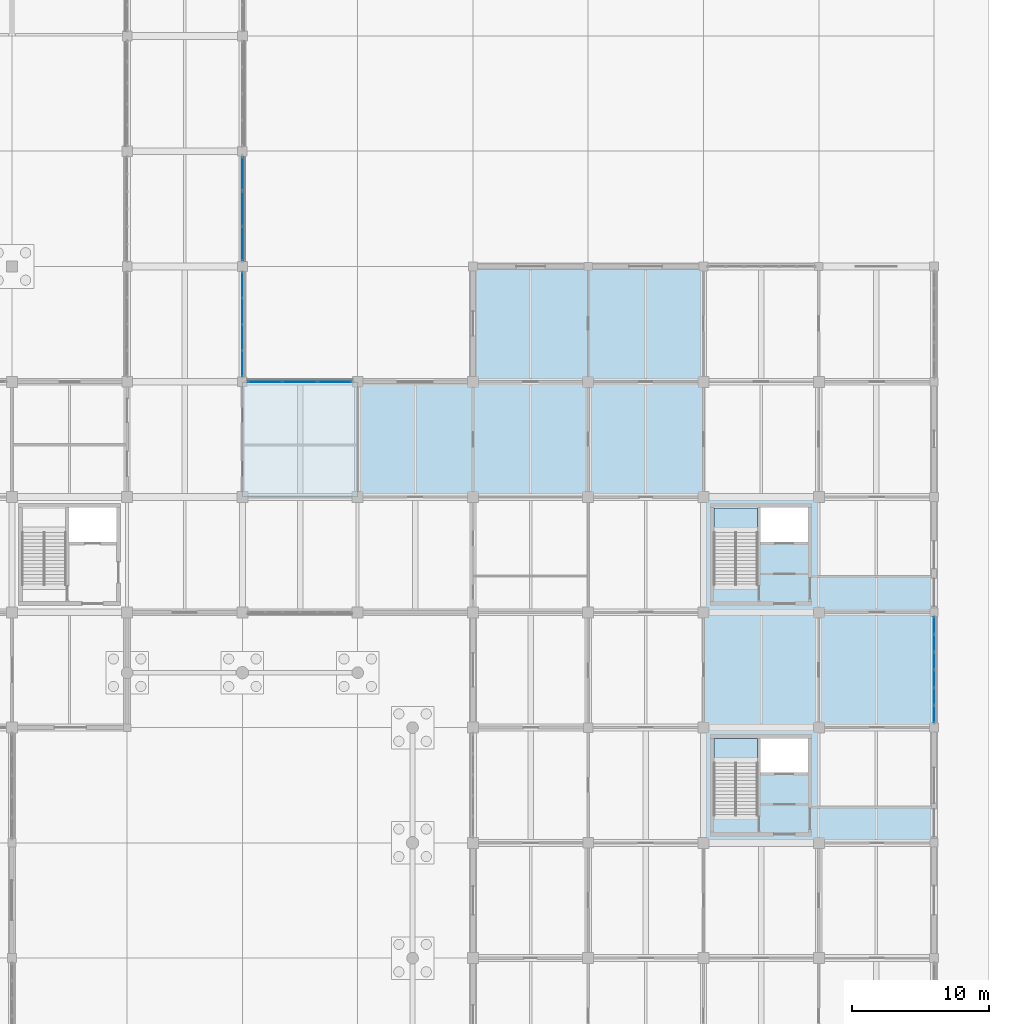
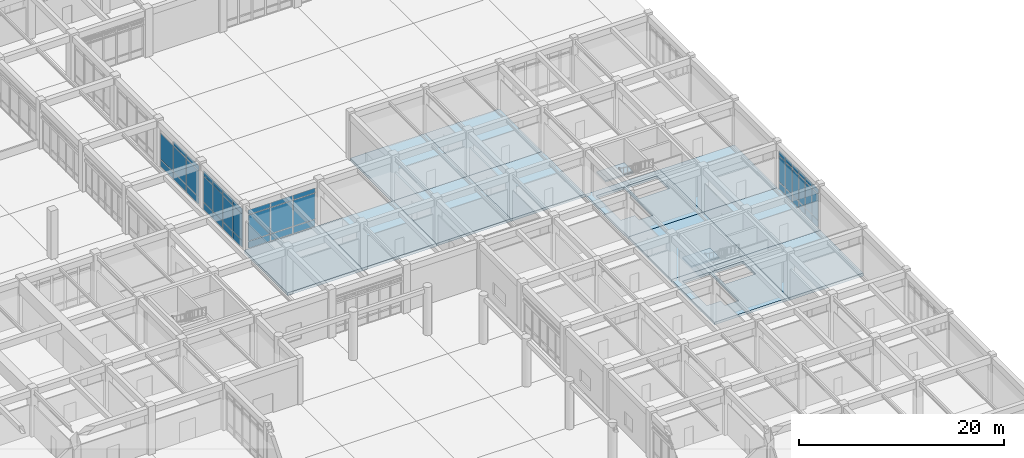
# One storey, part 61 of 91: 47 plates, 14 slabs, 6 elements without a shape of their own.
"""IFC4 building model written with IfcOpenShell, lengths in metres."""

from ifc_helpers import new_model, si_unit, direction, frame, origin, origin_2d, place, context, subcontext, project, spatial, polyline, rectangle, outline, extrude, material, layer, layer_set, type_object, element, aggregate, save


model = new_model("IFC4")

# Units and contexts
model_context = context("Model", 3, precision=1e-05, world=origin(), true_north=direction((0.0, 1.0)))
body_context = subcontext(model_context, "Body", "Model", "MODEL_VIEW")
ifc_project = project(units=[si_unit("LENGTHUNIT", "METRE"), si_unit("AREAUNIT", "SQUARE_METRE"), si_unit("VOLUMEUNIT", "CUBIC_METRE"), si_unit("PLANEANGLEUNIT", "RADIAN"), si_unit("MASSUNIT", "GRAM", prefix="KILO")], contexts=[model_context])

# Site, building, storey
site_placement = place(None, origin())
site = spatial("IfcSite", under=ifc_project, at=site_placement, CompositionType="ELEMENT")
building_placement = place(site_placement, origin())
building = spatial("IfcBuilding", under=site, at=building_placement, Name="Porcellanite Civic Hall", CompositionType="ELEMENT")
storey_placement = place(building_placement, origin())
storey = spatial("IfcBuildingStorey", under=building, at=storey_placement, Name="L00", CompositionType="ELEMENT", Elevation=0.0)

# Curtain wall, plates
ifc_material_1 = material(Name="Anodised aluminium and solar laminated glass", Category="aluminium")
ifc_layer_1 = layer(ifc_material_1, 0.179931640625)
ifc_layer_set_1 = layer_set([ifc_layer_1], Name="Anodised aluminium and solar laminated glass")
curtain_wall_type_1 = type_object("IfcCurtainWallType", Name="CW-SYS08", PredefinedType="NOTDEFINED", material=ifc_layer_set_1)
curtain_wall_1_placement = place(storey_placement, origin())
curtain_wall_1 = element("IfcCurtainWall", 1, at=curtain_wall_1_placement, inside=storey, type_object=curtain_wall_type_1, Name="Curtain wall CW-040", PredefinedType="NOTDEFINED")
ifc_material_2 = material(Name="Cyclone laminated solar-control low-E glass", Category="glass")
ifc_layer_2 = layer(ifc_material_2, 0.02392578125)
ifc_layer_set_2 = layer_set([ifc_layer_2], Name="Cyclone laminated solar-control low-E glass")
plate_type_1 = type_object("IfcPlateType", Name="CWP-01", PredefinedType="CURTAIN_PANEL", material=ifc_layer_set_2)
plate_1_placement = place(storey_placement, frame((126.0, 82.35009765625, 0.070068359375), z_axis=(0.0, 0.0, 1.0), x_axis=(0.0, -1.0, 0.0)))
plate_1 = element("IfcPlate", 2, at=plate_1_placement, type_object=plate_type_1, Name="CW-040 panel 1.1", PredefinedType="CURTAIN_PANEL", context=body_context, shape_type="SweptSolid", body=[
    extrude(rectangle(XDim=2.437744140625, YDim=0.02392578125, at=origin_2d()), origin(), (0.0, 0.0, 1.0), 0.794921875),
])
plate_2_placement = place(storey_placement, frame((126.0, 82.35009765625, 0.93505859375), z_axis=(0.0, 0.0, 1.0), x_axis=(0.0, -1.0, 0.0)))
plate_2 = element("IfcPlate", 3, at=plate_2_placement, type_object=plate_type_1, Name="CW-040 panel 1.2", PredefinedType="CURTAIN_PANEL", context=body_context, shape_type="SweptSolid", body=[
    extrude(rectangle(XDim=2.437744140625, YDim=0.02392578125, at=origin_2d()), origin(), (0.0, 0.0, 1.0), 3.080078125),
])
plate_3_placement = place(storey_placement, frame((126.0, 79.8125, 0.070068359375), z_axis=(0.0, 0.0, 1.0), x_axis=(0.0, -1.0, 0.0)))
plate_3 = element("IfcPlate", 4, at=plate_3_placement, type_object=plate_type_1, Name="CW-040 panel 2.1", PredefinedType="CURTAIN_PANEL", context=body_context, shape_type="SweptSolid", body=[
    extrude(rectangle(XDim=2.477783203125, YDim=0.02392578125, at=origin_2d()), origin(), (0.0, 0.0, 1.0), 0.794921875),
])
plate_4_placement = place(storey_placement, frame((126.0, 79.8125, 0.93505859375), z_axis=(0.0, 0.0, 1.0), x_axis=(0.0, -1.0, 0.0)))
plate_4 = element("IfcPlate", 5, at=plate_4_placement, type_object=plate_type_1, Name="CW-040 panel 2.2", PredefinedType="CURTAIN_PANEL", context=body_context, shape_type="SweptSolid", body=[
    extrude(rectangle(XDim=2.477783203125, YDim=0.02392578125, at=origin_2d()), origin(), (0.0, 0.0, 1.0), 3.080078125),
])
plate_5_placement = place(storey_placement, frame((126.0, 79.8125, 4.0849609375), z_axis=(0.0, 0.0, 1.0), x_axis=(0.0, -1.0, 0.0)))
plate_5 = element("IfcPlate", 6, at=plate_5_placement, type_object=plate_type_1, Name="CW-040 panel 2.3", PredefinedType="CURTAIN_PANEL", context=body_context, shape_type="SweptSolid", body=[
    extrude(rectangle(XDim=2.477783203125, YDim=0.02392578125, at=origin_2d()), origin(), (0.0, 0.0, 1.0), 0.544921875),
])
plate_6_placement = place(storey_placement, frame((126.0, 77.27490234375, 0.070068359375), z_axis=(0.0, 0.0, 1.0), x_axis=(0.0, -1.0, 0.0)))
plate_6 = element("IfcPlate", 7, at=plate_6_placement, type_object=plate_type_1, Name="CW-040 panel 3.1", PredefinedType="CURTAIN_PANEL", context=body_context, shape_type="SweptSolid", body=[
    extrude(rectangle(XDim=2.437744140625, YDim=0.02392578125, at=origin_2d()), origin(), (0.0, 0.0, 1.0), 0.794921875),
])
plate_7_placement = place(storey_placement, frame((126.0, 77.27490234375, 0.93505859375), z_axis=(0.0, 0.0, 1.0), x_axis=(0.0, -1.0, 0.0)))
plate_7 = element("IfcPlate", 8, at=plate_7_placement, type_object=plate_type_1, Name="CW-040 panel 3.2", PredefinedType="CURTAIN_PANEL", context=body_context, shape_type="SweptSolid", body=[
    extrude(rectangle(XDim=2.437744140625, YDim=0.02392578125, at=origin_2d()), origin(), (0.0, 0.0, 1.0), 3.080078125),
])
plate_8_placement = place(storey_placement, frame((126.0, 77.27490234375, 4.0849609375), z_axis=(0.0, 0.0, 1.0), x_axis=(0.0, -1.0, 0.0)))
plate_8 = element("IfcPlate", 9, at=plate_8_placement, type_object=plate_type_1, Name="CW-040 panel 3.3", PredefinedType="CURTAIN_PANEL", context=body_context, shape_type="SweptSolid", body=[
    extrude(rectangle(XDim=2.437744140625, YDim=0.02392578125, at=origin_2d()), origin(), (0.0, 0.0, 1.0), 0.544921875),
])
aggregate(curtain_wall_1, [plate_1, plate_2, plate_3, plate_4, plate_5, plate_6, plate_7, plate_8])

ifc_material_3 = material(Name="Anodised aluminium and solar laminated glass", Category="aluminium")
ifc_layer_3 = layer(ifc_material_3, 0.179931640625)
ifc_layer_set_3 = layer_set([ifc_layer_3], Name="Anodised aluminium and solar laminated glass")
curtain_wall_type_2 = type_object("IfcCurtainWallType", Name="CW-SYS02", PredefinedType="NOTDEFINED", material=ifc_layer_set_3)
curtain_wall_2_placement = place(storey_placement, origin())
curtain_wall_2 = element("IfcCurtainWall", 10, at=curtain_wall_2_placement, inside=storey, type_object=curtain_wall_type_2, Name="Curtain wall CW-058", PredefinedType="NOTDEFINED")
ifc_material_4 = material(Name="Cyclone laminated solar-control low-E glass", Category="glass")
ifc_layer_4 = layer(ifc_material_4, 0.02587890625)
ifc_layer_set_4 = layer_set([ifc_layer_4], Name="Cyclone laminated solar-control low-E glass")
plate_type_2 = type_object("IfcPlateType", Name="CWP-02", PredefinedType="CURTAIN_PANEL", material=ifc_layer_set_4)
plate_9_placement = place(storey_placement, frame((176.39990234375, 49.4326171875, 0.06494140625), z_axis=(0.0, 0.0, 1.0), x_axis=(0.0, -1.0, 0.0)))
plate_9 = element("IfcPlate", 11, at=plate_9_placement, type_object=plate_type_2, Name="CW-058 panel 1.1", PredefinedType="CURTAIN_PANEL", context=body_context, shape_type="SweptSolid", body=[
    extrude(rectangle(XDim=1.18310546875, YDim=0.02587890625, at=origin_2d()), origin(), (0.0, 0.0, 1.0), 0.802490234375),
])
plate_10_placement = place(storey_placement, frame((176.39990234375, 49.4326171875, 0.9326171875), z_axis=(0.0, 0.0, 1.0), x_axis=(0.0, -1.0, 0.0)))
plate_10 = element("IfcPlate", 12, at=plate_10_placement, type_object=plate_type_2, Name="CW-058 panel 1.2", PredefinedType="CURTAIN_PANEL", context=body_context, shape_type="SweptSolid", body=[
    extrude(rectangle(XDim=1.18310546875, YDim=0.02587890625, at=origin_2d()), origin(), (0.0, 0.0, 1.0), 3.0849609375),
])
plate_11_placement = place(storey_placement, frame((176.39990234375, 49.4326171875, 4.08251953125), z_axis=(0.0, 0.0, 1.0), x_axis=(0.0, -1.0, 0.0)))
plate_11 = element("IfcPlate", 13, at=plate_11_placement, type_object=plate_type_2, Name="CW-058 panel 1.3", PredefinedType="CURTAIN_PANEL", context=body_context, shape_type="SweptSolid", body=[
    extrude(rectangle(XDim=1.18310546875, YDim=0.02587890625, at=origin_2d()), origin(), (0.0, 0.0, 1.0), 0.552490234375),
])
plate_12_placement = place(storey_placement, frame((176.39990234375, 48.15576171875, 0.06494140625), z_axis=(0.0, 0.0, 1.0), x_axis=(0.0, -1.0, 0.0)))
plate_12 = element("IfcPlate", 14, at=plate_12_placement, type_object=plate_type_2, Name="CW-058 panel 2.1", PredefinedType="CURTAIN_PANEL", context=body_context, shape_type="SweptSolid", body=[
    extrude(rectangle(XDim=1.220458984375, YDim=0.02587890625, at=origin_2d()), origin(), (0.0, 0.0, 1.0), 0.802490234375),
])
plate_13_placement = place(storey_placement, frame((176.39990234375, 48.15576171875, 0.9326171875), z_axis=(0.0, 0.0, 1.0), x_axis=(0.0, -1.0, 0.0)))
plate_13 = element("IfcPlate", 15, at=plate_13_placement, type_object=plate_type_2, Name="CW-058 panel 2.2", PredefinedType="CURTAIN_PANEL", context=body_context, shape_type="SweptSolid", body=[
    extrude(rectangle(XDim=1.220458984375, YDim=0.02587890625, at=origin_2d()), origin(), (0.0, 0.0, 1.0), 3.0849609375),
])
plate_14_placement = place(storey_placement, frame((176.39990234375, 48.15576171875, 4.08251953125), z_axis=(0.0, 0.0, 1.0), x_axis=(0.0, -1.0, 0.0)))
plate_14 = element("IfcPlate", 16, at=plate_14_placement, type_object=plate_type_2, Name="CW-058 panel 2.3", PredefinedType="CURTAIN_PANEL", context=body_context, shape_type="SweptSolid", body=[
    extrude(rectangle(XDim=1.220458984375, YDim=0.02587890625, at=origin_2d()), origin(), (0.0, 0.0, 1.0), 0.552490234375),
])
plate_15_placement = place(storey_placement, frame((176.39990234375, 46.8603515625, 0.06494140625), z_axis=(0.0, 0.0, 1.0), x_axis=(0.0, -1.0, 0.0)))
plate_15 = element("IfcPlate", 17, at=plate_15_placement, type_object=plate_type_2, Name="CW-058 panel 3.1", PredefinedType="CURTAIN_PANEL", context=body_context, shape_type="SweptSolid", body=[
    extrude(rectangle(XDim=1.220458984375, YDim=0.02587890625, at=origin_2d()), origin(), (0.0, 0.0, 1.0), 0.802490234375),
])
plate_16_placement = place(storey_placement, frame((176.39990234375, 46.8603515625, 0.9326171875), z_axis=(0.0, 0.0, 1.0), x_axis=(0.0, -1.0, 0.0)))
plate_16 = element("IfcPlate", 18, at=plate_16_placement, type_object=plate_type_2, Name="CW-058 panel 3.2", PredefinedType="CURTAIN_PANEL", context=body_context, shape_type="SweptSolid", body=[
    extrude(rectangle(XDim=1.220458984375, YDim=0.02587890625, at=origin_2d()), origin(), (0.0, 0.0, 1.0), 3.0849609375),
])
plate_17_placement = place(storey_placement, frame((176.39990234375, 46.8603515625, 4.08251953125), z_axis=(0.0, 0.0, 1.0), x_axis=(0.0, -1.0, 0.0)))
plate_17 = element("IfcPlate", 19, at=plate_17_placement, type_object=plate_type_2, Name="CW-058 panel 3.3", PredefinedType="CURTAIN_PANEL", context=body_context, shape_type="SweptSolid", body=[
    extrude(rectangle(XDim=1.220458984375, YDim=0.02587890625, at=origin_2d()), origin(), (0.0, 0.0, 1.0), 0.552490234375),
])
plate_18_placement = place(storey_placement, frame((176.39990234375, 45.564697265625, 0.06494140625), z_axis=(0.0, 0.0, 1.0), x_axis=(0.0, -1.0, 0.0)))
plate_18 = element("IfcPlate", 20, at=plate_18_placement, type_object=plate_type_2, Name="CW-058 panel 4.1", PredefinedType="CURTAIN_PANEL", context=body_context, shape_type="SweptSolid", body=[
    extrude(rectangle(XDim=1.220458984375, YDim=0.02587890625, at=origin_2d()), origin(), (0.0, 0.0, 1.0), 0.802490234375),
])
plate_19_placement = place(storey_placement, frame((176.39990234375, 45.564697265625, 0.9326171875), z_axis=(0.0, 0.0, 1.0), x_axis=(0.0, -1.0, 0.0)))
plate_19 = element("IfcPlate", 21, at=plate_19_placement, type_object=plate_type_2, Name="CW-058 panel 4.2", PredefinedType="CURTAIN_PANEL", context=body_context, shape_type="SweptSolid", body=[
    extrude(rectangle(XDim=1.220458984375, YDim=0.02587890625, at=origin_2d()), origin(), (0.0, 0.0, 1.0), 3.0849609375),
])
plate_20_placement = place(storey_placement, frame((176.39990234375, 45.564697265625, 4.08251953125), z_axis=(0.0, 0.0, 1.0), x_axis=(0.0, -1.0, 0.0)))
plate_20 = element("IfcPlate", 22, at=plate_20_placement, type_object=plate_type_2, Name="CW-058 panel 4.3", PredefinedType="CURTAIN_PANEL", context=body_context, shape_type="SweptSolid", body=[
    extrude(rectangle(XDim=1.220458984375, YDim=0.02587890625, at=origin_2d()), origin(), (0.0, 0.0, 1.0), 0.552490234375),
])
plate_21_placement = place(storey_placement, frame((176.39990234375, 44.269287109375, 0.06494140625), z_axis=(0.0, 0.0, 1.0), x_axis=(0.0, -1.0, 0.0)))
plate_21 = element("IfcPlate", 23, at=plate_21_placement, type_object=plate_type_2, Name="CW-058 panel 5.1", PredefinedType="CURTAIN_PANEL", context=body_context, shape_type="SweptSolid", body=[
    extrude(rectangle(XDim=1.220458984375, YDim=0.02587890625, at=origin_2d()), origin(), (0.0, 0.0, 1.0), 0.802490234375),
])
plate_22_placement = place(storey_placement, frame((176.39990234375, 44.269287109375, 0.9326171875), z_axis=(0.0, 0.0, 1.0), x_axis=(0.0, -1.0, 0.0)))
plate_22 = element("IfcPlate", 24, at=plate_22_placement, type_object=plate_type_2, Name="CW-058 panel 5.2", PredefinedType="CURTAIN_PANEL", context=body_context, shape_type="SweptSolid", body=[
    extrude(rectangle(XDim=1.220458984375, YDim=0.02587890625, at=origin_2d()), origin(), (0.0, 0.0, 1.0), 3.0849609375),
])
plate_23_placement = place(storey_placement, frame((176.39990234375, 44.269287109375, 4.08251953125), z_axis=(0.0, 0.0, 1.0), x_axis=(0.0, -1.0, 0.0)))
plate_23 = element("IfcPlate", 25, at=plate_23_placement, type_object=plate_type_2, Name="CW-058 panel 5.3", PredefinedType="CURTAIN_PANEL", context=body_context, shape_type="SweptSolid", body=[
    extrude(rectangle(XDim=1.220458984375, YDim=0.02587890625, at=origin_2d()), origin(), (0.0, 0.0, 1.0), 0.552490234375),
])
plate_24_placement = place(storey_placement, frame((176.39990234375, 42.992431640625, 0.06494140625), z_axis=(0.0, 0.0, 1.0), x_axis=(0.0, -1.0, 0.0)))
plate_24 = element("IfcPlate", 26, at=plate_24_placement, type_object=plate_type_2, Name="CW-058 panel 6.1", PredefinedType="CURTAIN_PANEL", context=body_context, shape_type="SweptSolid", body=[
    extrude(rectangle(XDim=1.18310546875, YDim=0.02587890625, at=origin_2d()), origin(), (0.0, 0.0, 1.0), 0.802490234375),
])
plate_25_placement = place(storey_placement, frame((176.39990234375, 42.992431640625, 0.9326171875), z_axis=(0.0, 0.0, 1.0), x_axis=(0.0, -1.0, 0.0)))
plate_25 = element("IfcPlate", 27, at=plate_25_placement, type_object=plate_type_2, Name="CW-058 panel 6.2", PredefinedType="CURTAIN_PANEL", context=body_context, shape_type="SweptSolid", body=[
    extrude(rectangle(XDim=1.18310546875, YDim=0.02587890625, at=origin_2d()), origin(), (0.0, 0.0, 1.0), 3.0849609375),
])
plate_26_placement = place(storey_placement, frame((176.39990234375, 42.992431640625, 4.08251953125), z_axis=(0.0, 0.0, 1.0), x_axis=(0.0, -1.0, 0.0)))
plate_26 = element("IfcPlate", 28, at=plate_26_placement, type_object=plate_type_2, Name="CW-058 panel 6.3", PredefinedType="CURTAIN_PANEL", context=body_context, shape_type="SweptSolid", body=[
    extrude(rectangle(XDim=1.18310546875, YDim=0.02587890625, at=origin_2d()), origin(), (0.0, 0.0, 1.0), 0.552490234375),
])
aggregate(curtain_wall_2, [plate_9, plate_10, plate_11, plate_12, plate_13, plate_14, plate_15, plate_16, plate_17, plate_18, plate_19, plate_20, plate_21, plate_22, plate_23, plate_24, plate_25, plate_26])

curtain_wall_3_placement = place(storey_placement, origin())
curtain_wall_3 = element("IfcCurtainWall", 29, at=curtain_wall_3_placement, inside=storey, type_object=curtain_wall_type_1, Name="Curtain wall CW-046", PredefinedType="NOTDEFINED")
ifc_material_5 = material(Name="Cyclone laminated solar-control low-E glass", Category="glass")
ifc_layer_5 = layer(ifc_material_5, 0.035888671875)
ifc_layer_set_5 = layer_set([ifc_layer_5], Name="Cyclone laminated solar-control low-E glass")
plate_type_3 = type_object("IfcPlateType", Name="CWP-07", PredefinedType="CURTAIN_PANEL", material=ifc_layer_set_5)
plate_27_placement = place(storey_placement, frame((127.64990234375, 67.199951171875, 0.070068359375), z_axis=(0.0, 0.0, 1.0), x_axis=(1.0, 0.0, 0.0)))
plate_27 = element("IfcPlate", 30, at=plate_27_placement, type_object=plate_type_3, Name="CW-046 panel 1.1", PredefinedType="CURTAIN_PANEL", context=body_context, shape_type="SweptSolid", body=[
    extrude(rectangle(XDim=2.437744140625, YDim=0.035888671875, at=origin_2d()), origin(), (0.0, 0.0, 1.0), 0.794921875),
])
plate_28_placement = place(storey_placement, frame((127.64990234375, 67.199951171875, 0.93505859375), z_axis=(0.0, 0.0, 1.0), x_axis=(1.0, 0.0, 0.0)))
plate_28 = element("IfcPlate", 31, at=plate_28_placement, type_object=plate_type_3, Name="CW-046 panel 1.2", PredefinedType="CURTAIN_PANEL", context=body_context, shape_type="SweptSolid", body=[
    extrude(rectangle(XDim=2.437744140625, YDim=0.035888671875, at=origin_2d()), origin(), (0.0, 0.0, 1.0), 3.080078125),
])
plate_29_placement = place(storey_placement, frame((127.64990234375, 67.199951171875, 4.0849609375), z_axis=(0.0, 0.0, 1.0), x_axis=(1.0, 0.0, 0.0)))
plate_29 = element("IfcPlate", 32, at=plate_29_placement, type_object=plate_type_3, Name="CW-046 panel 1.3", PredefinedType="CURTAIN_PANEL", context=body_context, shape_type="SweptSolid", body=[
    extrude(rectangle(XDim=2.437744140625, YDim=0.035888671875, at=origin_2d()), origin(), (0.0, 0.0, 1.0), 0.544921875),
])
plate_30_placement = place(storey_placement, frame((130.1875, 67.199951171875, 0.070068359375), z_axis=(0.0, 0.0, 1.0), x_axis=(1.0, 0.0, 0.0)))
plate_30 = element("IfcPlate", 33, at=plate_30_placement, type_object=plate_type_3, Name="CW-046 panel 2.1", PredefinedType="CURTAIN_PANEL", context=body_context, shape_type="SweptSolid", body=[
    extrude(rectangle(XDim=2.477783203125, YDim=0.035888671875, at=origin_2d()), origin(), (0.0, 0.0, 1.0), 0.794921875),
])
plate_31_placement = place(storey_placement, frame((130.1875, 67.199951171875, 0.93505859375), z_axis=(0.0, 0.0, 1.0), x_axis=(1.0, 0.0, 0.0)))
plate_31 = element("IfcPlate", 34, at=plate_31_placement, type_object=plate_type_3, Name="CW-046 panel 2.2", PredefinedType="CURTAIN_PANEL", context=body_context, shape_type="SweptSolid", body=[
    extrude(rectangle(XDim=2.477783203125, YDim=0.035888671875, at=origin_2d()), origin(), (0.0, 0.0, 1.0), 3.080078125),
])
plate_32_placement = place(storey_placement, frame((130.1875, 67.199951171875, 4.0849609375), z_axis=(0.0, 0.0, 1.0), x_axis=(1.0, 0.0, 0.0)))
plate_32 = element("IfcPlate", 35, at=plate_32_placement, type_object=plate_type_3, Name="CW-046 panel 2.3", PredefinedType="CURTAIN_PANEL", context=body_context, shape_type="SweptSolid", body=[
    extrude(rectangle(XDim=2.477783203125, YDim=0.035888671875, at=origin_2d()), origin(), (0.0, 0.0, 1.0), 0.544921875),
])
plate_33_placement = place(storey_placement, frame((132.72509765625, 67.199951171875, 0.070068359375), z_axis=(0.0, 0.0, 1.0), x_axis=(1.0, 0.0, 0.0)))
plate_33 = element("IfcPlate", 36, at=plate_33_placement, type_object=plate_type_3, Name="CW-046 panel 3.1", PredefinedType="CURTAIN_PANEL", context=body_context, shape_type="SweptSolid", body=[
    extrude(rectangle(XDim=2.437744140625, YDim=0.035888671875, at=origin_2d()), origin(), (0.0, 0.0, 1.0), 0.794921875),
])
plate_34_placement = place(storey_placement, frame((132.72509765625, 67.199951171875, 0.93505859375), z_axis=(0.0, 0.0, 1.0), x_axis=(1.0, 0.0, 0.0)))
plate_34 = element("IfcPlate", 37, at=plate_34_placement, type_object=plate_type_3, Name="CW-046 panel 3.2", PredefinedType="CURTAIN_PANEL", context=body_context, shape_type="SweptSolid", body=[
    extrude(rectangle(XDim=2.437744140625, YDim=0.035888671875, at=origin_2d()), origin(), (0.0, 0.0, 1.0), 3.080078125),
])
plate_35_placement = place(storey_placement, frame((132.72509765625, 67.199951171875, 4.0849609375), z_axis=(0.0, 0.0, 1.0), x_axis=(1.0, 0.0, 0.0)))
plate_35 = element("IfcPlate", 38, at=plate_35_placement, type_object=plate_type_3, Name="CW-046 panel 3.3", PredefinedType="CURTAIN_PANEL", context=body_context, shape_type="SweptSolid", body=[
    extrude(rectangle(XDim=2.437744140625, YDim=0.035888671875, at=origin_2d()), origin(), (0.0, 0.0, 1.0), 0.544921875),
])
aggregate(curtain_wall_3, [plate_27, plate_28, plate_29, plate_30, plate_31, plate_32, plate_33, plate_34, plate_35])

ifc_material_6 = material(Name="Anodised aluminium and solar laminated glass", Category="aluminium")
ifc_layer_6 = layer(ifc_material_6, 0.179931640625)
ifc_layer_set_6 = layer_set([ifc_layer_6], Name="Anodised aluminium and solar laminated glass")
curtain_wall_type_3 = type_object("IfcCurtainWallType", Name="CW-SYS06", PredefinedType="NOTDEFINED", material=ifc_layer_set_6)
curtain_wall_4_placement = place(storey_placement, origin())
curtain_wall_4 = element("IfcCurtainWall", 39, at=curtain_wall_4_placement, inside=storey, type_object=curtain_wall_type_3, Name="Curtain wall CW-038", PredefinedType="NOTDEFINED")
ifc_material_7 = material(Name="Insulated ochre aluminium spandrel panel", Category="aluminium")
ifc_layer_7 = layer(ifc_material_7, 0.0419921875)
ifc_layer_set_7 = layer_set([ifc_layer_7], Name="Insulated ochre aluminium spandrel panel")
plate_type_4 = type_object("IfcPlateType", Name="CWP-09", PredefinedType="CURTAIN_PANEL", material=ifc_layer_set_7)
plate_36_placement = place(storey_placement, frame((126.0, 74.24853515625, 0.0498046875), z_axis=(0.0, 0.0, 1.0), x_axis=(0.0, -1.0, 0.0)))
plate_36 = element("IfcPlate", 40, at=plate_36_placement, type_object=plate_type_4, Name="CW-038 panel 1.1", PredefinedType="CURTAIN_PANEL", context=body_context, shape_type="SweptSolid", body=[
    extrude(rectangle(XDim=1.82080078125, YDim=0.0419921875, at=origin_2d()), origin(), (0.0, 0.0, 1.0), 0.824951171875),
])
plate_37_placement = place(storey_placement, frame((126.0, 74.24853515625, 0.925048828125), z_axis=(0.0, 0.0, 1.0), x_axis=(0.0, -1.0, 0.0)))
plate_37 = element("IfcPlate", 41, at=plate_37_placement, type_object=plate_type_4, Name="CW-038 panel 1.2", PredefinedType="CURTAIN_PANEL", context=body_context, shape_type="SweptSolid", body=[
    extrude(rectangle(XDim=1.82080078125, YDim=0.0419921875, at=origin_2d()), origin(), (0.0, 0.0, 1.0), 3.10009765625),
])
plate_38_placement = place(storey_placement, frame((126.0, 74.24853515625, 4.0751953125), z_axis=(0.0, 0.0, 1.0), x_axis=(0.0, -1.0, 0.0)))
plate_38 = element("IfcPlate", 42, at=plate_38_placement, type_object=plate_type_4, Name="CW-038 panel 1.3", PredefinedType="CURTAIN_PANEL", context=body_context, shape_type="SweptSolid", body=[
    extrude(rectangle(XDim=1.82080078125, YDim=0.0419921875, at=origin_2d()), origin(), (0.0, 0.0, 1.0), 0.574951171875),
])
plate_39_placement = place(storey_placement, frame((126.0, 72.3466796875, 0.0498046875), z_axis=(0.0, 0.0, 1.0), x_axis=(0.0, -1.0, 0.0)))
plate_39 = element("IfcPlate", 43, at=plate_39_placement, type_object=plate_type_4, Name="CW-038 panel 2.1", PredefinedType="CURTAIN_PANEL", context=body_context, shape_type="SweptSolid", body=[
    extrude(rectangle(XDim=1.853271484375, YDim=0.0419921875, at=origin_2d()), origin(), (0.0, 0.0, 1.0), 0.824951171875),
])
plate_40_placement = place(storey_placement, frame((126.0, 72.3466796875, 0.925048828125), z_axis=(0.0, 0.0, 1.0), x_axis=(0.0, -1.0, 0.0)))
plate_40 = element("IfcPlate", 44, at=plate_40_placement, type_object=plate_type_4, Name="CW-038 panel 2.2", PredefinedType="CURTAIN_PANEL", context=body_context, shape_type="SweptSolid", body=[
    extrude(rectangle(XDim=1.853271484375, YDim=0.0419921875, at=origin_2d()), origin(), (0.0, 0.0, 1.0), 3.10009765625),
])
plate_41_placement = place(storey_placement, frame((126.0, 72.3466796875, 4.0751953125), z_axis=(0.0, 0.0, 1.0), x_axis=(0.0, -1.0, 0.0)))
plate_41 = element("IfcPlate", 45, at=plate_41_placement, type_object=plate_type_4, Name="CW-038 panel 2.3", PredefinedType="CURTAIN_PANEL", context=body_context, shape_type="SweptSolid", body=[
    extrude(rectangle(XDim=1.853271484375, YDim=0.0419921875, at=origin_2d()), origin(), (0.0, 0.0, 1.0), 0.574951171875),
])
plate_42_placement = place(storey_placement, frame((126.0, 70.428466796875, 0.0498046875), z_axis=(0.0, 0.0, 1.0), x_axis=(0.0, -1.0, 0.0)))
plate_42 = element("IfcPlate", 46, at=plate_42_placement, type_object=plate_type_4, Name="CW-038 panel 3.1", PredefinedType="CURTAIN_PANEL", context=body_context, shape_type="SweptSolid", body=[
    extrude(rectangle(XDim=1.853271484375, YDim=0.0419921875, at=origin_2d()), origin(), (0.0, 0.0, 1.0), 0.824951171875),
])
plate_43_placement = place(storey_placement, frame((126.0, 70.428466796875, 0.925048828125), z_axis=(0.0, 0.0, 1.0), x_axis=(0.0, -1.0, 0.0)))
plate_43 = element("IfcPlate", 47, at=plate_43_placement, type_object=plate_type_4, Name="CW-038 panel 3.2", PredefinedType="CURTAIN_PANEL", context=body_context, shape_type="SweptSolid", body=[
    extrude(rectangle(XDim=1.853271484375, YDim=0.0419921875, at=origin_2d()), origin(), (0.0, 0.0, 1.0), 3.10009765625),
])
plate_44_placement = place(storey_placement, frame((126.0, 70.428466796875, 4.0751953125), z_axis=(0.0, 0.0, 1.0), x_axis=(0.0, -1.0, 0.0)))
plate_44 = element("IfcPlate", 48, at=plate_44_placement, type_object=plate_type_4, Name="CW-038 panel 3.3", PredefinedType="CURTAIN_PANEL", context=body_context, shape_type="SweptSolid", body=[
    extrude(rectangle(XDim=1.853271484375, YDim=0.0419921875, at=origin_2d()), origin(), (0.0, 0.0, 1.0), 0.574951171875),
])
plate_45_placement = place(storey_placement, frame((126.0, 68.5263671875, 0.0498046875), z_axis=(0.0, 0.0, 1.0), x_axis=(0.0, -1.0, 0.0)))
plate_45 = element("IfcPlate", 49, at=plate_45_placement, type_object=plate_type_4, Name="CW-038 panel 4.1", PredefinedType="CURTAIN_PANEL", context=body_context, shape_type="SweptSolid", body=[
    extrude(rectangle(XDim=1.82080078125, YDim=0.0419921875, at=origin_2d()), origin(), (0.0, 0.0, 1.0), 0.824951171875),
])
plate_46_placement = place(storey_placement, frame((126.0, 68.5263671875, 0.925048828125), z_axis=(0.0, 0.0, 1.0), x_axis=(0.0, -1.0, 0.0)))
plate_46 = element("IfcPlate", 50, at=plate_46_placement, type_object=plate_type_4, Name="CW-038 panel 4.2", PredefinedType="CURTAIN_PANEL", context=body_context, shape_type="SweptSolid", body=[
    extrude(rectangle(XDim=1.82080078125, YDim=0.0419921875, at=origin_2d()), origin(), (0.0, 0.0, 1.0), 3.10009765625),
])
plate_47_placement = place(storey_placement, frame((126.0, 68.5263671875, 4.0751953125), z_axis=(0.0, 0.0, 1.0), x_axis=(0.0, -1.0, 0.0)))
plate_47 = element("IfcPlate", 51, at=plate_47_placement, type_object=plate_type_4, Name="CW-038 panel 4.3", PredefinedType="CURTAIN_PANEL", context=body_context, shape_type="SweptSolid", body=[
    extrude(rectangle(XDim=1.82080078125, YDim=0.0419921875, at=origin_2d()), origin(), (0.0, 0.0, 1.0), 0.574951171875),
])
aggregate(curtain_wall_4, [plate_36, plate_37, plate_38, plate_39, plate_40, plate_41, plate_42, plate_43, plate_44, plate_45, plate_46, plate_47])

# Stair, slab
ifc_material_8 = material(Name="Concrete N40 (40 MPa)", Category="concrete")
stair_type = type_object("IfcStairType", Name="STR-HT32", PredefinedType="HALF_TURN_STAIR", material=ifc_material_8)
stair_1_placement = place(storey_placement, origin())
stair_1 = element("IfcStair", 52, at=stair_1_placement, inside=storey, type_object=stair_type, Name="Fire stair ST-07 L00", PredefinedType="HALF_TURN_STAIR")
ifc_material_9 = material(Name="Concrete N40 (40 MPa)", Category="concrete")
ifc_layer_8 = layer(ifc_material_9, 0.179931640625)
ifc_layer_set_8 = layer_set([ifc_layer_8], Name="Concrete N40 (40 MPa)")
slab_type_1 = type_object("IfcSlabType", Name="LND-18", PredefinedType="LANDING", material=ifc_layer_set_8)
slab_1_placement = place(storey_placement, frame((0.0, 0.0, 2.699951171875)))
slab_1 = element("IfcSlab", 53, at=slab_1_placement, type_object=slab_type_1, Name="ST-07 landing 1", PredefinedType="LANDING", context=body_context, shape_type="SweptSolid", body=[
    extrude(outline(polyline([(160.380615234375, 39.425048828125), (163.51953125, 39.425048828125), (163.51953125, 41.219482421875), (160.380615234375, 41.219482421875), (160.380615234375, 39.425048828125)])), origin(), (0.0, 0.0, 1.0), 0.179931640625),
])
aggregate(stair_1, [slab_1])

stair_2_placement = place(storey_placement, origin())
stair_2 = element("IfcStair", 54, at=stair_2_placement, inside=storey, type_object=stair_type, Name="Fire stair ST-08 L00", PredefinedType="HALF_TURN_STAIR")
slab_2_placement = place(storey_placement, frame((0.0, 0.0, 2.699951171875)))
slab_2 = element("IfcSlab", 55, at=slab_2_placement, type_object=slab_type_1, Name="ST-08 landing 1", PredefinedType="LANDING", context=body_context, shape_type="SweptSolid", body=[
    extrude(outline(polyline([(160.380615234375, 56.22509765625), (163.51953125, 56.22509765625), (163.51953125, 58.01953125), (160.380615234375, 58.01953125), (160.380615234375, 56.22509765625)])), origin(), (0.0, 0.0, 1.0), 0.179931640625),
])
aggregate(stair_2, [slab_2])

# Slabs
ifc_material_10 = material(Name="Concrete N40 (40 MPa)", Category="concrete")
ifc_layer_9 = layer(ifc_material_10, 0.35009765625)
ifc_layer_set_9 = layer_set([ifc_layer_9], Name="Concrete N40 (40 MPa)")
slab_type_2 = type_object("IfcSlabType", Name="SL-BASE350", PredefinedType="BASESLAB", material=ifc_layer_set_9)
slab_3_placement = place(storey_placement, frame((0.0, 0.0, -0.35009765625)))
element("IfcSlab", 56, at=slab_3_placement, inside=storey, type_object=slab_type_2, Name="Slab L00 bay 16-8", PredefinedType="BASESLAB", context=body_context, shape_type="SweptSolid", body=[
    extrude(outline(polyline([(126.0, 58.800048828125), (134.39990234375, 58.800048828125), (134.39990234375, 67.199951171875), (126.0, 67.199951171875), (126.0, 58.800048828125)])), origin(), (0.0, 0.0, 1.0), 0.35009765625),
])
slab_4_placement = place(storey_placement, frame((0.0, 0.0, -0.35009765625)))
element("IfcSlab", 57, at=slab_4_placement, inside=storey, type_object=slab_type_2, Name="Slab L00 bay 17-8", PredefinedType="BASESLAB", context=body_context, shape_type="SweptSolid", body=[
    extrude(outline(polyline([(134.39990234375, 58.800048828125), (142.800048828125, 58.800048828125), (142.800048828125, 67.199951171875), (134.39990234375, 67.199951171875), (134.39990234375, 58.800048828125)])), origin(), (0.0, 0.0, 1.0), 0.35009765625),
])
slab_5_placement = place(storey_placement, frame((0.0, 0.0, -0.35009765625)))
element("IfcSlab", 58, at=slab_5_placement, inside=storey, type_object=slab_type_2, Name="Slab L00 bay 18-9", PredefinedType="BASESLAB", context=body_context, shape_type="SweptSolid", body=[
    extrude(outline(polyline([(142.800048828125, 67.199951171875), (151.199951171875, 67.199951171875), (151.199951171875, 75.60009765625), (142.800048828125, 75.60009765625), (142.800048828125, 67.199951171875)])), origin(), (0.0, 0.0, 1.0), 0.35009765625),
])
slab_6_placement = place(storey_placement, frame((0.0, 0.0, -0.35009765625)))
element("IfcSlab", 59, at=slab_6_placement, inside=storey, type_object=slab_type_2, Name="Slab L00 bay 19-9", PredefinedType="BASESLAB", context=body_context, shape_type="SweptSolid", body=[
    extrude(outline(polyline([(151.199951171875, 67.199951171875), (159.60009765625, 67.199951171875), (159.60009765625, 75.60009765625), (151.199951171875, 75.60009765625), (151.199951171875, 67.199951171875)])), origin(), (0.0, 0.0, 1.0), 0.35009765625),
])
slab_7_placement = place(storey_placement, frame((0.0, 0.0, -0.35009765625)))
element("IfcSlab", 60, at=slab_7_placement, inside=storey, type_object=slab_type_2, Name="Slab L00 bay 21-5", PredefinedType="BASESLAB", context=body_context, shape_type="SweptSolid", body=[
    extrude(outline(polyline([(168.0, 33.60009765625), (176.39990234375, 33.60009765625), (176.39990234375, 42.0), (168.0, 42.0), (168.0, 33.60009765625)])), origin(), (0.0, 0.0, 1.0), 0.35009765625),
])
slab_8_placement = place(storey_placement, frame((0.0, 0.0, -0.35009765625)))
element("IfcSlab", 61, at=slab_8_placement, inside=storey, type_object=slab_type_2, Name="Slab L00 bay 21-6", PredefinedType="BASESLAB", context=body_context, shape_type="SweptSolid", body=[
    extrude(outline(polyline([(168.0, 42.0), (176.39990234375, 42.0), (176.39990234375, 50.39990234375), (168.0, 50.39990234375), (168.0, 42.0)])), origin(), (0.0, 0.0, 1.0), 0.35009765625),
])
slab_9_placement = place(storey_placement, frame((0.0, 0.0, -0.35009765625)))
element("IfcSlab", 62, at=slab_9_placement, inside=storey, type_object=slab_type_2, Name="Slab L00 bay 21-7", PredefinedType="BASESLAB", context=body_context, shape_type="SweptSolid", body=[
    extrude(outline(polyline([(168.0, 50.39990234375), (176.39990234375, 50.39990234375), (176.39990234375, 58.800048828125), (168.0, 58.800048828125), (168.0, 50.39990234375)])), origin(), (0.0, 0.0, 1.0), 0.35009765625),
])
ifc_material_11 = material(Name="Concrete N40 (40 MPa)", Category="concrete")
ifc_layer_10 = layer(ifc_material_11, 0.300048828125)
ifc_layer_set_10 = layer_set([ifc_layer_10], Name="Concrete N40 (40 MPa)")
slab_type_3 = type_object("IfcSlabType", Name="SL-TR300", PredefinedType="FLOOR", material=ifc_layer_set_10)
slab_10_placement = place(storey_placement, frame((0.0, 0.0, -0.300048828125)))
element("IfcSlab", 63, at=slab_10_placement, inside=storey, type_object=slab_type_3, Name="Slab L00 bay 18-8", PredefinedType="FLOOR", context=body_context, shape_type="SweptSolid", body=[
    extrude(outline(polyline([(142.800048828125, 58.800048828125), (151.199951171875, 58.800048828125), (151.199951171875, 67.199951171875), (142.800048828125, 67.199951171875), (142.800048828125, 58.800048828125)])), origin(), (0.0, 0.0, 1.0), 0.300048828125),
])
slab_11_placement = place(storey_placement, frame((0.0, 0.0, -0.300048828125)))
element("IfcSlab", 64, at=slab_11_placement, inside=storey, type_object=slab_type_3, Name="Slab L00 bay 19-8", PredefinedType="FLOOR", context=body_context, shape_type="SweptSolid", body=[
    extrude(outline(polyline([(151.199951171875, 58.800048828125), (159.60009765625, 58.800048828125), (159.60009765625, 67.199951171875), (151.199951171875, 67.199951171875), (151.199951171875, 58.800048828125)])), origin(), (0.0, 0.0, 1.0), 0.300048828125),
])
slab_12_placement = place(storey_placement, frame((0.0, 0.0, -0.300048828125)))
element("IfcSlab", 65, at=slab_12_placement, inside=storey, type_object=slab_type_3, Name="Slab L00 bay 20-5", PredefinedType="FLOOR", context=body_context, shape_type="SweptSolid", body=[
    extrude(outline(polyline([(159.60009765625, 33.60009765625), (168.0, 33.60009765625), (168.0, 42.0), (159.60009765625, 42.0), (159.60009765625, 33.60009765625)]), holes=[polyline([(160.3798828125, 36.449951171875), (161.9599609375, 36.449951171875), (161.9599609375, 35.60009765625), (163.52001953125, 35.60009765625), (163.52001953125, 41.219970703125), (160.3798828125, 41.219970703125), (160.3798828125, 36.449951171875)]), polyline([(163.760009765625, 38.739990234375), (167.219970703125, 38.739990234375), (167.219970703125, 41.219970703125), (163.760009765625, 41.219970703125), (163.760009765625, 38.739990234375)])]), origin(), (0.0, 0.0, 1.0), 0.300048828125),
])
slab_13_placement = place(storey_placement, frame((0.0, 0.0, -0.300048828125)))
element("IfcSlab", 66, at=slab_13_placement, inside=storey, type_object=slab_type_3, Name="Slab L00 bay 20-6", PredefinedType="FLOOR", context=body_context, shape_type="SweptSolid", body=[
    extrude(outline(polyline([(159.60009765625, 42.0), (168.0, 42.0), (168.0, 50.39990234375), (159.60009765625, 50.39990234375), (159.60009765625, 42.0)])), origin(), (0.0, 0.0, 1.0), 0.300048828125),
])
slab_14_placement = place(storey_placement, frame((0.0, 0.0, -0.300048828125)))
element("IfcSlab", 67, at=slab_14_placement, inside=storey, type_object=slab_type_3, Name="Slab L00 bay 20-7", PredefinedType="FLOOR", context=body_context, shape_type="SweptSolid", body=[
    extrude(outline(polyline([(159.60009765625, 50.39990234375), (168.0, 50.39990234375), (168.0, 58.800048828125), (159.60009765625, 58.800048828125), (159.60009765625, 50.39990234375)]), holes=[polyline([(160.3798828125, 53.25), (161.9599609375, 53.25), (161.9599609375, 52.39990234375), (163.52001953125, 52.39990234375), (163.52001953125, 58.02001953125), (160.3798828125, 58.02001953125), (160.3798828125, 53.25)]), polyline([(163.760009765625, 55.5400390625), (167.219970703125, 55.5400390625), (167.219970703125, 58.02001953125), (163.760009765625, 58.02001953125), (163.760009765625, 55.5400390625)])]), origin(), (0.0, 0.0, 1.0), 0.300048828125),
])

save(model, "model.ifc")
